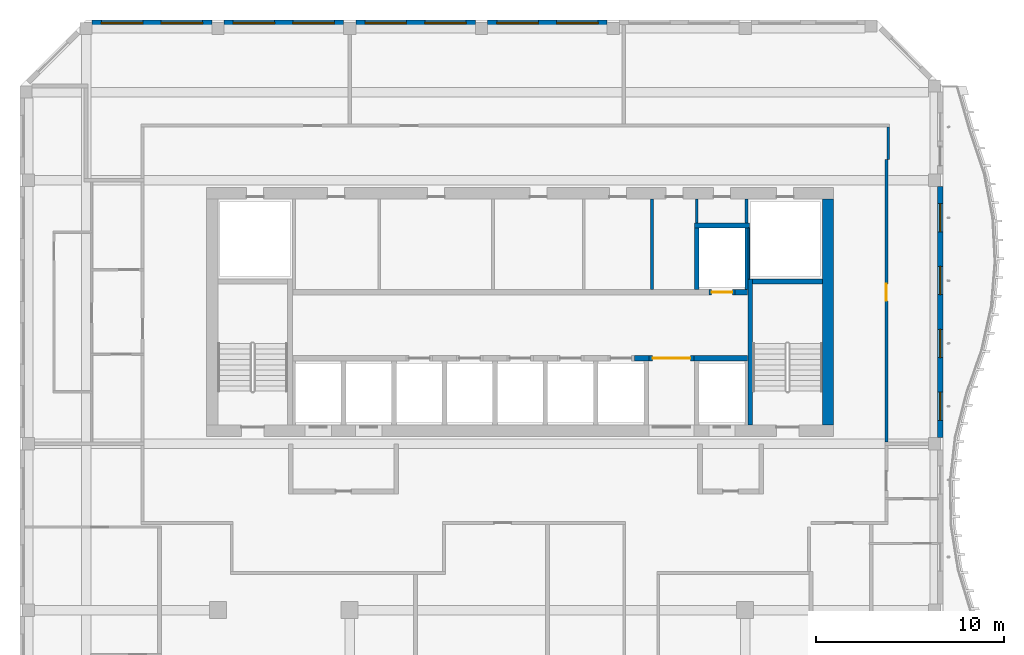
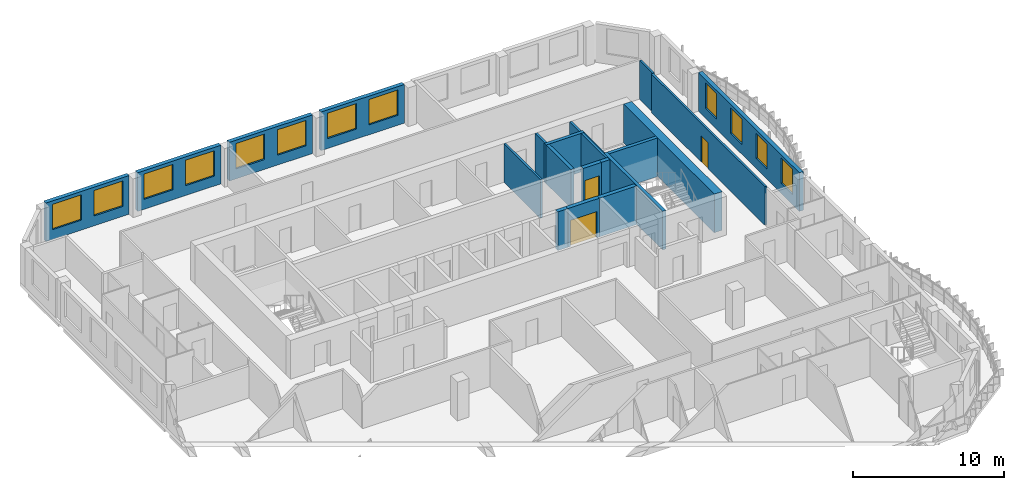
# One storey, part 8 of 17: 22 walls, 12 windows, 3 doors, 15 openings.
"""IFC4 building model written with IfcOpenShell, lengths in metres."""

from ifc_helpers import new_model, si_unit, direction, frame, frame_2d, origin, place, context, subcontext, project, spatial, rectangle, extrude, source, transform, mapped, material, layer, layer_set, type_object, element, fill, save


model = new_model("IFC4")

# Units and contexts
model_context = context("Model", 3, precision=1e-05, world=origin(), true_north=direction((0.0, 1.0)))
body_context = subcontext(model_context, "Body", "Model", "MODEL_VIEW")
ifc_project = project(units=[si_unit("LENGTHUNIT", "METRE"), si_unit("AREAUNIT", "SQUARE_METRE"), si_unit("VOLUMEUNIT", "CUBIC_METRE"), si_unit("PLANEANGLEUNIT", "RADIAN"), si_unit("MASSUNIT", "GRAM", prefix="KILO")], contexts=[model_context])

# Site, building, storey
site_placement = place(None, origin())
site = spatial("IfcSite", under=ifc_project, at=site_placement, CompositionType="ELEMENT")
building_placement = place(site_placement, origin())
building = spatial("IfcBuilding", under=site, at=building_placement, Name="Kilnfold Tower and Market Hall", CompositionType="ELEMENT")
storey_placement = place(building_placement, frame((0.0, 0.0, 273.800048828125)))
storey = spatial("IfcBuildingStorey", under=building, at=storey_placement, Name="L67", CompositionType="ELEMENT", Elevation=273.800048828125)

# Wall
ifc_material_1 = material(Name="Gypsum board on steel studs", Category="steel")
ifc_layer_1 = layer(ifc_material_1, 0.14990234375)
ifc_layer_set_1 = layer_set([ifc_layer_1], Name="Gypsum board on steel studs")
wall_type_1 = type_object("IfcWallType", Name="WALL CORRIDOR 150", PredefinedType="PARTITIONING", material=ifc_layer_set_1)
wall_1_placement = place(storey_placement, frame((20.60009765625, 23.10009765625, 0.0), z_axis=(0.0, 0.0, 1.0), x_axis=(0.0, 1.0, 0.0)))
element("IfcWall", 1, at=wall_1_placement, inside=storey, type_object=wall_type_1, Name="Partition LY41.20", PredefinedType="PARTITIONING", context=body_context, shape_type="SweptSolid", body=[
    extrude(rectangle(XDim=1.724853515625, YDim=0.14990234375, at=frame_2d((0.8623046875, 0.0))), origin(), (0.0, 0.0, 1.0), 3.119873046875),
])

# Wall, opening, door
wall_2_placement = place(storey_placement, frame((20.5, 8.090087890625, 0.0), z_axis=(0.0, 0.0, 1.0), x_axis=(0.0, 1.0, 0.0)))
wall_2 = element("IfcWall", 2, at=wall_2_placement, inside=storey, type_object=wall_type_1, Name="Partition LY41.21", PredefinedType="PARTITIONING", context=body_context, shape_type="SweptSolid", body=[
    extrude(rectangle(XDim=15.010009765625, YDim=0.14990234375, at=frame_2d((7.5048828125, 0.0))), origin(), (0.0, 0.0, 1.0), 3.119873046875),
])
opening_1_placement = place(wall_2_placement, frame((7.5048828125, 0.0, 0.0)))
opening_1 = element("IfcOpeningElement", 3, at=opening_1_placement, cuts=wall_2, Name="Opening D2", PredefinedType="OPENING", context=body_context, shape_type="SweptSolid", body=[
    extrude(rectangle(XDim=0.89990234375, YDim=2.10009765625, at=frame_2d((0.449951171875, 1.050048828125))), frame((0.0, 0.0849609375, 0.0), z_axis=(0.0, -1.0, 0.0), x_axis=(1.0, 0.0, 0.0)), (0.0, 0.0, 1.0), 0.169921875),
])
ifc_material_2 = material(Name="Timber veneer door leaf in steel frame", Category="steel")
door_type_1 = type_object("IfcDoorType", Name="DOOR ROOM 900 X2100", OperationType="NOTDEFINED", PredefinedType="DOOR", material=ifc_material_2)
door_1_placement = place(opening_1_placement, origin())
door_1 = element("IfcDoor", 4, at=door_1_placement, inside=storey, type_object=door_type_1, Name="Door D2", OperationType="SINGLE_SWING_RIGHT", OverallHeight=2.10009765625, OverallWidth=0.89990234375, PredefinedType="DOOR", context=body_context, shape_type="SweptSolid", body=[
    extrude(rectangle(XDim=0.89990234375, YDim=2.10009765625, at=frame_2d((0.449951171875, 1.050048828125))), frame((0.0, 0.02490234375, 0.0), z_axis=(0.0, -1.0, 0.0), x_axis=(1.0, 0.0, 0.0)), (0.0, 0.0, 1.0), 0.050048828125),
])
fill(opening_1, door_1)

# Walls
ifc_material_3 = material(Name="Concrete C50", Category="concrete")
ifc_layer_2 = layer(ifc_material_3, 0.25)
ifc_layer_set_2 = layer_set([ifc_layer_2], Name="Concrete C50")
wall_type_2 = type_object("IfcWallType", Name="CORE WALL 250 C50", PredefinedType="SHEAR", material=ifc_layer_set_2)
shared_shape_1 = source(origin(), body_context, "Body", "SweptSolid", [
    extrude(rectangle(XDim=7.75, YDim=0.25, at=frame_2d((3.875, 0.0))), origin(), (0.0, 0.0, 1.0), 3.119873046875),
])
wall_3_placement = place(storey_placement, frame((13.27490234375, 9.0, 0.0), z_axis=(0.0, 0.0, 1.0), x_axis=(0.0, 1.0, 0.0)))
element("IfcWall", 5, at=wall_3_placement, inside=storey, type_object=wall_type_2, Name="Stair enclosure ST2", PredefinedType="SHEAR", context=body_context, shape_type="MappedRepresentation", body=[
    mapped(shared_shape_1, transform((0.0, 0.0, 0.0))),
])
shared_shape_2 = source(origin(), body_context, "Body", "SweptSolid", [
    extrude(rectangle(XDim=3.7001953125, YDim=0.25, at=frame_2d((1.85009765625, 0.0))), origin(), (0.0, 0.0, 1.0), 3.119873046875),
])
wall_4_placement = place(storey_placement, frame((13.39990234375, 16.625, 0.0), z_axis=(0.0, 0.0, 1.0), x_axis=(1.0, 0.0, 0.0)))
element("IfcWall", 6, at=wall_4_placement, inside=storey, type_object=wall_type_2, Name="Stair enclosure ST2", PredefinedType="SHEAR", context=body_context, shape_type="MappedRepresentation", body=[
    mapped(shared_shape_2, transform((0.0, 0.0, 0.0))),
])
ifc_material_4 = material(Name="Concrete C50", Category="concrete")
ifc_layer_3 = layer(ifc_material_4, 0.300048828125)
ifc_layer_set_3 = layer_set([ifc_layer_3], Name="Concrete C50")
wall_type_3 = type_object("IfcWallType", Name="CORE WALL 300 C50", PredefinedType="SHEAR", material=ifc_layer_set_3)
shared_shape_3 = source(origin(), body_context, "Body", "SweptSolid", [
    extrude(rectangle(XDim=0.77978515625, YDim=0.300048828125, at=frame_2d((0.389892578125, 0.0))), origin(), (0.0, 0.0, 1.0), 3.119873046875),
])
wall_5_placement = place(storey_placement, frame((7.110107421875, 12.550048828125, 0.0), z_axis=(0.0, 0.0, 1.0), x_axis=(1.0, 0.0, 0.0)))
element("IfcWall", 7, at=wall_5_placement, inside=storey, type_object=wall_type_3, Name="Core spine wall", PredefinedType="SHEAR", context=body_context, shape_type="MappedRepresentation", body=[
    mapped(shared_shape_3, transform((0.0, 0.0, 0.0))),
])
shared_shape_4 = source(origin(), body_context, "Body", "SweptSolid", [
    extrude(rectangle(XDim=2.820068359375, YDim=0.300048828125, at=frame_2d((1.41015625, 0.0))), origin(), (0.0, 0.0, 1.0), 3.119873046875),
])
wall_6_placement = place(storey_placement, frame((10.2900390625, 12.550048828125, 0.0), z_axis=(0.0, 0.0, 1.0), x_axis=(1.0, 0.0, 0.0)))
element("IfcWall", 8, at=wall_6_placement, inside=storey, type_object=wall_type_3, Name="Core spine wall", PredefinedType="SHEAR", context=body_context, shape_type="MappedRepresentation", body=[
    mapped(shared_shape_4, transform((0.0, 0.0, 0.0))),
])
shared_shape_5 = source(origin(), body_context, "Body", "SweptSolid", [
    extrude(rectangle(XDim=0.64013671875, YDim=0.300048828125, at=frame_2d((0.320068359375, 0.0))), origin(), (0.0, 0.0, 1.0), 3.119873046875),
])
wall_7_placement = place(storey_placement, frame((12.469970703125, 16.050048828125, 0.0), z_axis=(0.0, 0.0, 1.0), x_axis=(1.0, 0.0, 0.0)))
element("IfcWall", 9, at=wall_7_placement, inside=storey, type_object=wall_type_3, Name="Core spine wall", PredefinedType="SHEAR", context=body_context, shape_type="MappedRepresentation", body=[
    mapped(shared_shape_5, transform((0.0, 0.0, 0.0))),
])
ifc_material_5 = material(Name="Concrete C50", Category="concrete")
ifc_layer_4 = layer(ifc_material_5, 0.60009765625)
ifc_layer_set_4 = layer_set([ifc_layer_4], Name="Concrete C50")
wall_type_4 = type_object("IfcWallType", Name="CORE WALL 600 C50", PredefinedType="SHEAR", material=ifc_layer_set_4)
shared_shape_6 = source(origin(), body_context, "Body", "SweptSolid", [
    extrude(rectangle(XDim=12.0, YDim=0.60009765625, at=frame_2d((6.0, 0.0))), origin(), (0.0, 0.0, 1.0), 3.119873046875),
])
wall_8_placement = place(storey_placement, frame((17.39990234375, 9.0, 0.0), z_axis=(0.0, 0.0, 1.0), x_axis=(0.0, 1.0, 0.0)))
element("IfcWall", 10, at=wall_8_placement, inside=storey, type_object=wall_type_4, Name="Core outer wall east", PredefinedType="SHEAR", context=body_context, shape_type="MappedRepresentation", body=[
    mapped(shared_shape_6, transform((0.0, 0.0, 0.0))),
])

# Wall, openings, windows
ifc_material_6 = material(Name="Precast concrete C50/60", Category="concrete")
ifc_layer_5 = layer(ifc_material_6, 0.300048828125)
ifc_layer_set_5 = layer_set([ifc_layer_5], Name="Precast concrete C50/60")
wall_type_5 = type_object("IfcWallType", Name="PRECAST WALL 300", PredefinedType="SOLIDWALL", material=ifc_layer_set_5)
shared_shape_7 = source(origin(), body_context, "Body", "SweptSolid", [
    extrude(rectangle(XDim=6.35009765625, YDim=0.300048828125, at=frame_2d((3.175048828125, 0.0))), origin(), (0.0, 0.0, 1.0), 3.119873046875),
])
wall_9_placement = place(storey_placement, frame((5.675048828125, 30.35009765625, 0.0), z_axis=(0.0, 0.0, 1.0), x_axis=(-1.0, 0.0, 0.0)))
wall_9 = element("IfcWall", 11, at=wall_9_placement, inside=storey, type_object=wall_type_5, Name="External wall L67 N", PredefinedType="SOLIDWALL", context=body_context, shape_type="MappedRepresentation", body=[
    mapped(shared_shape_7, transform((0.0, 0.0, 0.0))),
])
opening_2_placement = place(wall_9_placement, frame((0.487548828125, 0.0, 0.800048828125)))
opening_2 = element("IfcOpeningElement", 12, at=opening_2_placement, cuts=wall_9, Name="Opening W3", PredefinedType="OPENING", context=body_context, shape_type="SweptSolid", body=[
    extrude(rectangle(XDim=2.199951171875, YDim=2.050048828125, at=frame_2d((1.10009765625, 1.02490234375))), frame((0.0, 0.16015625, 0.0), z_axis=(0.0, -1.0, 0.0), x_axis=(1.0, 0.0, 0.0)), (0.0, 0.0, 1.0), 0.320068359375),
])
opening_3_placement = place(wall_9_placement, frame((3.66259765625, 0.0, 0.800048828125)))
opening_3 = element("IfcOpeningElement", 13, at=opening_3_placement, cuts=wall_9, Name="Opening W3", PredefinedType="OPENING", context=body_context, shape_type="SweptSolid", body=[
    extrude(rectangle(XDim=2.199951171875, YDim=2.050048828125, at=frame_2d((1.10009765625, 1.02490234375))), frame((0.0, 0.16015625, 0.0), z_axis=(0.0, -1.0, 0.0), x_axis=(1.0, 0.0, 0.0)), (0.0, 0.0, 1.0), 0.320068359375),
])
ifc_material_7 = material(Name="Aluminium frame and double glazing", Category="aluminium")
window_type_1 = type_object("IfcWindowType", Name="WINDOW W3 2200X2050", PartitioningType="SINGLE_PANEL", PredefinedType="WINDOW", material=ifc_material_7)
window_1_placement = place(opening_2_placement, origin())
window_1 = element("IfcWindow", 14, at=window_1_placement, inside=storey, type_object=window_type_1, Name="Window W3 L67 N-1", OverallHeight=2.050048828125, OverallWidth=2.199951171875, PartitioningType="SINGLE_PANEL", PredefinedType="WINDOW", context=body_context, shape_type="SweptSolid", body=[
    extrude(rectangle(XDim=2.199951171875, YDim=2.050048828125, at=frame_2d((1.10009765625, 1.02490234375))), frame((0.0, 0.030029296875, 0.0), z_axis=(0.0, -1.0, 0.0), x_axis=(1.0, 0.0, 0.0)), (0.0, 0.0, 1.0), 0.06005859375),
])
fill(opening_2, window_1)
window_2_placement = place(opening_3_placement, origin())
window_2 = element("IfcWindow", 15, at=window_2_placement, inside=storey, type_object=window_type_1, Name="Window W3 L67 N-2", OverallHeight=2.050048828125, OverallWidth=2.199951171875, PartitioningType="SINGLE_PANEL", PredefinedType="WINDOW", context=body_context, shape_type="SweptSolid", body=[
    extrude(rectangle(XDim=2.199951171875, YDim=2.050048828125, at=frame_2d((1.10009765625, 1.02490234375))), frame((0.0, 0.030029296875, 0.0), z_axis=(0.0, -1.0, 0.0), x_axis=(1.0, 0.0, 0.0)), (0.0, 0.0, 1.0), 0.06005859375),
])
fill(opening_3, window_2)

wall_10_placement = place(storey_placement, frame((-1.324951171875, 30.35009765625, 0.0), z_axis=(0.0, 0.0, 1.0), x_axis=(-1.0, 0.0, 0.0)))
wall_10 = element("IfcWall", 16, at=wall_10_placement, inside=storey, type_object=wall_type_5, Name="External wall L67 N", PredefinedType="SOLIDWALL", context=body_context, shape_type="MappedRepresentation", body=[
    mapped(shared_shape_7, transform((0.0, 0.0, 0.0))),
])
opening_4_placement = place(wall_10_placement, frame((0.487548828125, 0.0, 0.800048828125)))
opening_4 = element("IfcOpeningElement", 17, at=opening_4_placement, cuts=wall_10, Name="Opening W3", PredefinedType="OPENING", context=body_context, shape_type="SweptSolid", body=[
    extrude(rectangle(XDim=2.199951171875, YDim=2.050048828125, at=frame_2d((1.10009765625, 1.02490234375))), frame((0.0, 0.16015625, 0.0), z_axis=(0.0, -1.0, 0.0), x_axis=(1.0, 0.0, 0.0)), (0.0, 0.0, 1.0), 0.320068359375),
])
opening_5_placement = place(wall_10_placement, frame((3.66259765625, 0.0, 0.800048828125)))
opening_5 = element("IfcOpeningElement", 18, at=opening_5_placement, cuts=wall_10, Name="Opening W3", PredefinedType="OPENING", context=body_context, shape_type="SweptSolid", body=[
    extrude(rectangle(XDim=2.199951171875, YDim=2.050048828125, at=frame_2d((1.10009765625, 1.02490234375))), frame((0.0, 0.16015625, 0.0), z_axis=(0.0, -1.0, 0.0), x_axis=(1.0, 0.0, 0.0)), (0.0, 0.0, 1.0), 0.320068359375),
])
window_3_placement = place(opening_4_placement, origin())
window_3 = element("IfcWindow", 19, at=window_3_placement, inside=storey, type_object=window_type_1, Name="Window W3 L67 N-1", OverallHeight=2.050048828125, OverallWidth=2.199951171875, PartitioningType="SINGLE_PANEL", PredefinedType="WINDOW", context=body_context, shape_type="SweptSolid", body=[
    extrude(rectangle(XDim=2.199951171875, YDim=2.050048828125, at=frame_2d((1.10009765625, 1.02490234375))), frame((0.0, 0.030029296875, 0.0), z_axis=(0.0, -1.0, 0.0), x_axis=(1.0, 0.0, 0.0)), (0.0, 0.0, 1.0), 0.06005859375),
])
fill(opening_4, window_3)
window_4_placement = place(opening_5_placement, origin())
window_4 = element("IfcWindow", 20, at=window_4_placement, inside=storey, type_object=window_type_1, Name="Window W3 L67 N-2", OverallHeight=2.050048828125, OverallWidth=2.199951171875, PartitioningType="SINGLE_PANEL", PredefinedType="WINDOW", context=body_context, shape_type="SweptSolid", body=[
    extrude(rectangle(XDim=2.199951171875, YDim=2.050048828125, at=frame_2d((1.10009765625, 1.02490234375))), frame((0.0, 0.030029296875, 0.0), z_axis=(0.0, -1.0, 0.0), x_axis=(1.0, 0.0, 0.0)), (0.0, 0.0, 1.0), 0.06005859375),
])
fill(opening_5, window_4)

wall_11_placement = place(storey_placement, frame((-8.324951171875, 30.35009765625, 0.0), z_axis=(0.0, 0.0, 1.0), x_axis=(-1.0, 0.0, 0.0)))
wall_11 = element("IfcWall", 21, at=wall_11_placement, inside=storey, type_object=wall_type_5, Name="External wall L67 N", PredefinedType="SOLIDWALL", context=body_context, shape_type="MappedRepresentation", body=[
    mapped(shared_shape_7, transform((0.0, 0.0, 0.0))),
])
opening_6_placement = place(wall_11_placement, frame((0.487548828125, 0.0, 0.800048828125)))
opening_6 = element("IfcOpeningElement", 22, at=opening_6_placement, cuts=wall_11, Name="Opening W3", PredefinedType="OPENING", context=body_context, shape_type="SweptSolid", body=[
    extrude(rectangle(XDim=2.199951171875, YDim=2.050048828125, at=frame_2d((1.10009765625, 1.02490234375))), frame((0.0, 0.16015625, 0.0), z_axis=(0.0, -1.0, 0.0), x_axis=(1.0, 0.0, 0.0)), (0.0, 0.0, 1.0), 0.320068359375),
])
opening_7_placement = place(wall_11_placement, frame((3.66259765625, 0.0, 0.800048828125)))
opening_7 = element("IfcOpeningElement", 23, at=opening_7_placement, cuts=wall_11, Name="Opening W3", PredefinedType="OPENING", context=body_context, shape_type="SweptSolid", body=[
    extrude(rectangle(XDim=2.199951171875, YDim=2.050048828125, at=frame_2d((1.10009765625, 1.02490234375))), frame((0.0, 0.16015625, 0.0), z_axis=(0.0, -1.0, 0.0), x_axis=(1.0, 0.0, 0.0)), (0.0, 0.0, 1.0), 0.320068359375),
])
window_5_placement = place(opening_6_placement, origin())
window_5 = element("IfcWindow", 24, at=window_5_placement, inside=storey, type_object=window_type_1, Name="Window W3 L67 N-1", OverallHeight=2.050048828125, OverallWidth=2.199951171875, PartitioningType="SINGLE_PANEL", PredefinedType="WINDOW", context=body_context, shape_type="SweptSolid", body=[
    extrude(rectangle(XDim=2.199951171875, YDim=2.050048828125, at=frame_2d((1.10009765625, 1.02490234375))), frame((0.0, 0.030029296875, 0.0), z_axis=(0.0, -1.0, 0.0), x_axis=(1.0, 0.0, 0.0)), (0.0, 0.0, 1.0), 0.06005859375),
])
fill(opening_6, window_5)
window_6_placement = place(opening_7_placement, origin())
window_6 = element("IfcWindow", 25, at=window_6_placement, inside=storey, type_object=window_type_1, Name="Window W3 L67 N-2", OverallHeight=2.050048828125, OverallWidth=2.199951171875, PartitioningType="SINGLE_PANEL", PredefinedType="WINDOW", context=body_context, shape_type="SweptSolid", body=[
    extrude(rectangle(XDim=2.199951171875, YDim=2.050048828125, at=frame_2d((1.10009765625, 1.02490234375))), frame((0.0, 0.030029296875, 0.0), z_axis=(0.0, -1.0, 0.0), x_axis=(1.0, 0.0, 0.0)), (0.0, 0.0, 1.0), 0.06005859375),
])
fill(opening_7, window_6)

wall_12_placement = place(storey_placement, frame((-15.324951171875, 30.35009765625, 0.0), z_axis=(0.0, 0.0, 1.0), x_axis=(-1.0, 0.0, 0.0)))
wall_12 = element("IfcWall", 26, at=wall_12_placement, inside=storey, type_object=wall_type_5, Name="External wall L67 N", PredefinedType="SOLIDWALL", context=body_context, shape_type="MappedRepresentation", body=[
    mapped(shared_shape_7, transform((0.0, 0.0, 0.0))),
])
opening_8_placement = place(wall_12_placement, frame((0.487548828125, 0.0, 0.800048828125)))
opening_8 = element("IfcOpeningElement", 27, at=opening_8_placement, cuts=wall_12, Name="Opening W3", PredefinedType="OPENING", context=body_context, shape_type="SweptSolid", body=[
    extrude(rectangle(XDim=2.199951171875, YDim=2.050048828125, at=frame_2d((1.10009765625, 1.02490234375))), frame((0.0, 0.16015625, 0.0), z_axis=(0.0, -1.0, 0.0), x_axis=(1.0, 0.0, 0.0)), (0.0, 0.0, 1.0), 0.320068359375),
])
opening_9_placement = place(wall_12_placement, frame((3.66259765625, 0.0, 0.800048828125)))
opening_9 = element("IfcOpeningElement", 28, at=opening_9_placement, cuts=wall_12, Name="Opening W3", PredefinedType="OPENING", context=body_context, shape_type="SweptSolid", body=[
    extrude(rectangle(XDim=2.199951171875, YDim=2.050048828125, at=frame_2d((1.10009765625, 1.02490234375))), frame((0.0, 0.16015625, 0.0), z_axis=(0.0, -1.0, 0.0), x_axis=(1.0, 0.0, 0.0)), (0.0, 0.0, 1.0), 0.320068359375),
])
window_7_placement = place(opening_8_placement, origin())
window_7 = element("IfcWindow", 29, at=window_7_placement, inside=storey, type_object=window_type_1, Name="Window W3 L67 N-1", OverallHeight=2.050048828125, OverallWidth=2.199951171875, PartitioningType="SINGLE_PANEL", PredefinedType="WINDOW", context=body_context, shape_type="SweptSolid", body=[
    extrude(rectangle(XDim=2.199951171875, YDim=2.050048828125, at=frame_2d((1.10009765625, 1.02490234375))), frame((0.0, 0.030029296875, 0.0), z_axis=(0.0, -1.0, 0.0), x_axis=(1.0, 0.0, 0.0)), (0.0, 0.0, 1.0), 0.06005859375),
])
fill(opening_8, window_7)
window_8_placement = place(opening_9_placement, origin())
window_8 = element("IfcWindow", 30, at=window_8_placement, inside=storey, type_object=window_type_1, Name="Window W3 L67 N-2", OverallHeight=2.050048828125, OverallWidth=2.199951171875, PartitioningType="SINGLE_PANEL", PredefinedType="WINDOW", context=body_context, shape_type="SweptSolid", body=[
    extrude(rectangle(XDim=2.199951171875, YDim=2.050048828125, at=frame_2d((1.10009765625, 1.02490234375))), frame((0.0, 0.030029296875, 0.0), z_axis=(0.0, -1.0, 0.0), x_axis=(1.0, 0.0, 0.0)), (0.0, 0.0, 1.0), 0.06005859375),
])
fill(opening_9, window_8)

shared_shape_8 = source(origin(), body_context, "Body", "SweptSolid", [
    extrude(rectangle(XDim=13.35009765625, YDim=0.300048828125, at=frame_2d((6.675048828125, 0.0))), origin(), (0.0, 0.0, 1.0), 3.119873046875),
])
wall_13_placement = place(storey_placement, frame((23.35009765625, 8.324951171875, 0.0), z_axis=(0.0, 0.0, 1.0), x_axis=(0.0, 1.0, 0.0)))
wall_13 = element("IfcWall", 31, at=wall_13_placement, inside=storey, type_object=wall_type_5, Name="External wall L67 E", PredefinedType="SOLIDWALL", context=body_context, shape_type="MappedRepresentation", body=[
    mapped(shared_shape_8, transform((0.0, 0.0, 0.0))),
])
opening_10_placement = place(wall_13_placement, frame((0.918701171875, 0.0, 0.800048828125)))
opening_10 = element("IfcOpeningElement", 32, at=opening_10_placement, cuts=wall_13, Name="Opening W5", PredefinedType="OPENING", context=body_context, shape_type="SweptSolid", body=[
    extrude(rectangle(XDim=1.5, YDim=2.050048828125, at=frame_2d((0.75, 1.02490234375))), frame((0.0, 0.16015625, 0.0), z_axis=(0.0, -1.0, 0.0), x_axis=(1.0, 0.0, 0.0)), (0.0, 0.0, 1.0), 0.320068359375),
])
opening_11_placement = place(wall_13_placement, frame((4.25634765625, 0.0, 0.800048828125)))
opening_11 = element("IfcOpeningElement", 33, at=opening_11_placement, cuts=wall_13, Name="Opening W5", PredefinedType="OPENING", context=body_context, shape_type="SweptSolid", body=[
    extrude(rectangle(XDim=1.5, YDim=2.050048828125, at=frame_2d((0.75, 1.02490234375))), frame((0.0, 0.16015625, 0.0), z_axis=(0.0, -1.0, 0.0), x_axis=(1.0, 0.0, 0.0)), (0.0, 0.0, 1.0), 0.320068359375),
])
opening_12_placement = place(wall_13_placement, frame((7.59375, 0.0, 0.800048828125)))
opening_12 = element("IfcOpeningElement", 34, at=opening_12_placement, cuts=wall_13, Name="Opening W5", PredefinedType="OPENING", context=body_context, shape_type="SweptSolid", body=[
    extrude(rectangle(XDim=1.5, YDim=2.050048828125, at=frame_2d((0.75, 1.02490234375))), frame((0.0, 0.16015625, 0.0), z_axis=(0.0, -1.0, 0.0), x_axis=(1.0, 0.0, 0.0)), (0.0, 0.0, 1.0), 0.320068359375),
])
opening_13_placement = place(wall_13_placement, frame((10.93115234375, 0.0, 0.800048828125)))
opening_13 = element("IfcOpeningElement", 35, at=opening_13_placement, cuts=wall_13, Name="Opening W5", PredefinedType="OPENING", context=body_context, shape_type="SweptSolid", body=[
    extrude(rectangle(XDim=1.5, YDim=2.050048828125, at=frame_2d((0.75, 1.02490234375))), frame((0.0, 0.16015625, 0.0), z_axis=(0.0, -1.0, 0.0), x_axis=(1.0, 0.0, 0.0)), (0.0, 0.0, 1.0), 0.320068359375),
])
ifc_material_8 = material(Name="Aluminium frame and double glazing", Category="aluminium")
window_type_2 = type_object("IfcWindowType", Name="WINDOW W5 1500X2050", PartitioningType="SINGLE_PANEL", PredefinedType="WINDOW", material=ifc_material_8)
window_9_placement = place(opening_10_placement, origin())
window_9 = element("IfcWindow", 36, at=window_9_placement, inside=storey, type_object=window_type_2, Name="Window W5 L67 E-1", OverallHeight=2.050048828125, OverallWidth=1.5, PartitioningType="SINGLE_PANEL", PredefinedType="WINDOW", context=body_context, shape_type="SweptSolid", body=[
    extrude(rectangle(XDim=1.5, YDim=2.050048828125, at=frame_2d((0.75, 1.02490234375))), frame((0.0, 0.030029296875, 0.0), z_axis=(0.0, -1.0, 0.0), x_axis=(1.0, 0.0, 0.0)), (0.0, 0.0, 1.0), 0.06005859375),
])
fill(opening_10, window_9)
window_10_placement = place(opening_11_placement, origin())
window_10 = element("IfcWindow", 37, at=window_10_placement, inside=storey, type_object=window_type_2, Name="Window W5 L67 E-2", OverallHeight=2.050048828125, OverallWidth=1.5, PartitioningType="SINGLE_PANEL", PredefinedType="WINDOW", context=body_context, shape_type="SweptSolid", body=[
    extrude(rectangle(XDim=1.5, YDim=2.050048828125, at=frame_2d((0.75, 1.02490234375))), frame((0.0, 0.030029296875, 0.0), z_axis=(0.0, -1.0, 0.0), x_axis=(1.0, 0.0, 0.0)), (0.0, 0.0, 1.0), 0.06005859375),
])
fill(opening_11, window_10)
window_11_placement = place(opening_12_placement, origin())
window_11 = element("IfcWindow", 38, at=window_11_placement, inside=storey, type_object=window_type_2, Name="Window W5 L67 E-3", OverallHeight=2.050048828125, OverallWidth=1.5, PartitioningType="SINGLE_PANEL", PredefinedType="WINDOW", context=body_context, shape_type="SweptSolid", body=[
    extrude(rectangle(XDim=1.5, YDim=2.050048828125, at=frame_2d((0.75, 1.02490234375))), frame((0.0, 0.030029296875, 0.0), z_axis=(0.0, -1.0, 0.0), x_axis=(1.0, 0.0, 0.0)), (0.0, 0.0, 1.0), 0.06005859375),
])
fill(opening_12, window_11)
window_12_placement = place(opening_13_placement, origin())
window_12 = element("IfcWindow", 39, at=window_12_placement, inside=storey, type_object=window_type_2, Name="Window W5 L67 E-4", OverallHeight=2.050048828125, OverallWidth=1.5, PartitioningType="SINGLE_PANEL", PredefinedType="WINDOW", context=body_context, shape_type="SweptSolid", body=[
    extrude(rectangle(XDim=1.5, YDim=2.050048828125, at=frame_2d((0.75, 1.02490234375))), frame((0.0, 0.030029296875, 0.0), z_axis=(0.0, -1.0, 0.0), x_axis=(1.0, 0.0, 0.0)), (0.0, 0.0, 1.0), 0.06005859375),
])
fill(opening_13, window_12)

# Wall, opening, door
ifc_material_9 = material(Name="Gypsum shaft wall system")
ifc_layer_6 = layer(ifc_material_9, 0.300048828125)
ifc_layer_set_6 = layer_set([ifc_layer_6], Name="Gypsum shaft wall system")
wall_type_6 = type_object("IfcWallType", Name="SHAFT WALL 300", PredefinedType="PARTITIONING", material=ifc_layer_set_6)
shared_shape_9 = source(origin(), body_context, "Body", "SweptSolid", [
    extrude(rectangle(XDim=1.39990234375, YDim=0.300048828125, at=frame_2d((0.699951171875, 0.0))), origin(), (0.0, 0.0, 1.0), 3.119873046875),
])
wall_14_placement = place(storey_placement, frame((11.070068359375, 16.050048828125, 0.0), z_axis=(0.0, 0.0, 1.0), x_axis=(1.0, 0.0, 0.0)))
wall_14 = element("IfcWall", 40, at=wall_14_placement, inside=storey, type_object=wall_type_6, Name="Lift shaft front wall", PredefinedType="PARTITIONING", context=body_context, shape_type="MappedRepresentation", body=[
    mapped(shared_shape_9, transform((0.0, 0.0, 0.0))),
])
opening_14_placement = place(wall_14_placement, frame((0.14990234375, 0.0, 0.0)))
opening_14 = element("IfcOpeningElement", 41, at=opening_14_placement, cuts=wall_14, Name="Opening LD2", PredefinedType="OPENING", context=body_context, shape_type="SweptSolid", body=[
    extrude(rectangle(XDim=1.10009765625, YDim=2.10009765625, at=frame_2d((0.550048828125, 1.050048828125))), frame((0.0, 0.16015625, 0.0), z_axis=(0.0, -1.0, 0.0), x_axis=(1.0, 0.0, 0.0)), (0.0, 0.0, 1.0), 0.320068359375),
])
ifc_material_10 = material(Name="Steel door set with fire-resisting leaf", Category="steel")
door_type_2 = type_object("IfcDoorType", Name="LANDING DOOR 1100X2100", OperationType="NOTDEFINED", PredefinedType="DOOR", material=ifc_material_10)
door_2_placement = place(opening_14_placement, origin())
door_2 = element("IfcDoor", 42, at=door_2_placement, inside=storey, type_object=door_type_2, Name="Landing door HR6", OperationType="DOUBLE_DOOR_SLIDING", OverallHeight=2.10009765625, OverallWidth=1.10009765625, PredefinedType="DOOR", context=body_context, shape_type="SweptSolid", body=[
    extrude(rectangle(XDim=1.10009765625, YDim=2.10009765625, at=frame_2d((0.550048828125, 1.050048828125))), frame((0.0, 0.02490234375, 0.0), z_axis=(0.0, -1.0, 0.0), x_axis=(1.0, 0.0, 0.0)), (0.0, 0.0, 1.0), 0.050048828125),
])
fill(opening_14, door_2)

shared_shape_10 = source(origin(), body_context, "Body", "SweptSolid", [
    extrude(rectangle(XDim=2.400146484375, YDim=0.300048828125, at=frame_2d((1.2001953125, 0.0))), origin(), (0.0, 0.0, 1.0), 3.119873046875),
])
wall_15_placement = place(storey_placement, frame((7.889892578125, 12.550048828125, 0.0), z_axis=(0.0, 0.0, 1.0), x_axis=(1.0, 0.0, 0.0)))
wall_15 = element("IfcWall", 43, at=wall_15_placement, inside=storey, type_object=wall_type_6, Name="Lift shaft front wall", PredefinedType="PARTITIONING", context=body_context, shape_type="MappedRepresentation", body=[
    mapped(shared_shape_10, transform((0.0, 0.0, 0.0))),
])
opening_15_placement = place(wall_15_placement, frame((0.199951171875, 0.0, 0.0)))
opening_15 = element("IfcOpeningElement", 44, at=opening_15_placement, cuts=wall_15, Name="Opening VD2", PredefinedType="OPENING", context=body_context, shape_type="SweptSolid", body=[
    extrude(rectangle(XDim=2.0, YDim=2.10009765625, at=frame_2d((1.0, 1.050048828125))), frame((0.0, 0.16015625, 0.0), z_axis=(0.0, -1.0, 0.0), x_axis=(1.0, 0.0, 0.0)), (0.0, 0.0, 1.0), 0.320068359375),
])
ifc_material_11 = material(Name="Steel door set with fire-resisting leaf", Category="steel")
door_type_3 = type_object("IfcDoorType", Name="LIFT LOBBY ENTRANCE DOOR 2000X2100", OperationType="NOTDEFINED", PredefinedType="DOOR", material=ifc_material_11)
door_3_placement = place(opening_15_placement, origin())
door_3 = element("IfcDoor", 45, at=door_3_placement, inside=storey, type_object=door_type_3, Name="Lift lobby entrance door", OperationType="DOUBLE_DOOR_SINGLE_SWING", OverallHeight=2.10009765625, OverallWidth=2.0, PredefinedType="DOOR", context=body_context, shape_type="SweptSolid", body=[
    extrude(rectangle(XDim=2.0, YDim=2.10009765625, at=frame_2d((1.0, 1.050048828125))), frame((0.0, 0.02490234375, 0.0), z_axis=(0.0, -1.0, 0.0), x_axis=(1.0, 0.0, 0.0)), (0.0, 0.0, 1.0), 0.050048828125),
])
fill(opening_15, door_3)

# Walls
ifc_material_12 = material(Name="Gypsum shaft wall system")
ifc_layer_7 = layer(ifc_material_12, 0.1650390625)
ifc_layer_set_7 = layer_set([ifc_layer_7], Name="Gypsum shaft wall system")
wall_type_7 = type_object("IfcWallType", Name="SHAFT WALL 165", PredefinedType="PARTITIONING", material=ifc_layer_set_7)
shared_shape_11 = source(origin(), body_context, "Body", "SweptSolid", [
    extrude(rectangle(XDim=3.275146484375, YDim=0.1650390625, at=frame_2d((1.6376953125, 0.0))), origin(), (0.0, 0.0, 1.0), 3.119873046875),
])
wall_16_placement = place(storey_placement, frame((13.0673828125, 16.199951171875, 0.0), z_axis=(0.0, 0.0, 1.0), x_axis=(0.0, 1.0, 0.0)))
element("IfcWall", 46, at=wall_16_placement, inside=storey, type_object=wall_type_7, Name="Lift shaft wall", PredefinedType="PARTITIONING", context=body_context, shape_type="MappedRepresentation", body=[
    mapped(shared_shape_11, transform((0.0, 0.0, 0.0))),
])
shared_shape_12 = source(origin(), body_context, "Body", "SweptSolid", [
    extrude(rectangle(XDim=1.27490234375, YDim=0.1650390625, at=frame_2d((0.637451171875, 0.0))), origin(), (0.0, 0.0, 1.0), 3.119873046875),
])
wall_17_placement = place(storey_placement, frame((13.0673828125, 19.72509765625, 0.0), z_axis=(0.0, 0.0, 1.0), x_axis=(0.0, 1.0, 0.0)))
element("IfcWall", 47, at=wall_17_placement, inside=storey, type_object=wall_type_7, Name="Lift shaft wall", PredefinedType="PARTITIONING", context=body_context, shape_type="MappedRepresentation", body=[
    mapped(shared_shape_12, transform((0.0, 0.0, 0.0))),
])
ifc_material_13 = material(Name="Gypsum shaft wall system")
ifc_layer_8 = layer(ifc_material_13, 0.25)
ifc_layer_set_8 = layer_set([ifc_layer_8], Name="Gypsum shaft wall system")
wall_type_8 = type_object("IfcWallType", Name="SHAFT WALL 250", PredefinedType="PARTITIONING", material=ifc_layer_set_8)
shared_shape_13 = source(origin(), body_context, "Body", "SweptSolid", [
    extrude(rectangle(XDim=3.275146484375, YDim=0.25, at=frame_2d((1.6376953125, 0.0))), origin(), (0.0, 0.0, 1.0), 3.119873046875),
])
wall_18_placement = place(storey_placement, frame((10.429931640625, 16.199951171875, 0.0), z_axis=(0.0, 0.0, 1.0), x_axis=(0.0, 1.0, 0.0)))
element("IfcWall", 48, at=wall_18_placement, inside=storey, type_object=wall_type_8, Name="Lift shaft wall", PredefinedType="PARTITIONING", context=body_context, shape_type="MappedRepresentation", body=[
    mapped(shared_shape_13, transform((0.0, 0.0, 0.0))),
])
ifc_material_14 = material(Name="Gypsum shaft wall system")
ifc_layer_9 = layer(ifc_material_14, 0.0849609375)
ifc_layer_set_9 = layer_set([ifc_layer_9], Name="Gypsum shaft wall system")
wall_type_9 = type_object("IfcWallType", Name="SHAFT WALL 85", PredefinedType="PARTITIONING", material=ifc_layer_set_9)
shared_shape_14 = source(origin(), body_context, "Body", "SweptSolid", [
    extrude(rectangle(XDim=2.72509765625, YDim=0.0849609375, at=frame_2d((1.362548828125, 0.0))), origin(), (0.0, 0.0, 1.0), 3.119873046875),
])
wall_19_placement = place(storey_placement, frame((13.1923828125, 16.75, 0.0), z_axis=(0.0, 0.0, 1.0), x_axis=(0.0, 1.0, 0.0)))
element("IfcWall", 49, at=wall_19_placement, inside=storey, type_object=wall_type_9, Name="Lift shaft wall", PredefinedType="PARTITIONING", context=body_context, shape_type="MappedRepresentation", body=[
    mapped(shared_shape_14, transform((0.0, 0.0, 0.0))),
])
ifc_material_15 = material(Name="Gypsum shaft wall system")
ifc_layer_10 = layer(ifc_material_15, 0.14990234375)
ifc_layer_set_10 = layer_set([ifc_layer_10], Name="Gypsum shaft wall system")
wall_type_10 = type_object("IfcWallType", Name="ROOM WALL 150", PredefinedType="PARTITIONING", material=ifc_layer_set_10)
shared_shape_15 = source(origin(), body_context, "Body", "SweptSolid", [
    extrude(rectangle(XDim=4.800048828125, YDim=0.14990234375, at=frame_2d((2.39990234375, 0.0))), origin(), (0.0, 0.0, 1.0), 3.119873046875),
])
wall_20_placement = place(storey_placement, frame((8.044921875, 16.199951171875, 0.0), z_axis=(0.0, 0.0, 1.0), x_axis=(0.0, 1.0, 0.0)))
element("IfcWall", 50, at=wall_20_placement, inside=storey, type_object=wall_type_10, Name="Core room wall", PredefinedType="PARTITIONING", context=body_context, shape_type="MappedRepresentation", body=[
    mapped(shared_shape_15, transform((0.0, 0.0, 0.0))),
])
shared_shape_16 = source(origin(), body_context, "Body", "SweptSolid", [
    extrude(rectangle(XDim=1.27490234375, YDim=0.14990234375, at=frame_2d((0.637451171875, 0.0))), origin(), (0.0, 0.0, 1.0), 3.119873046875),
])
wall_21_placement = place(storey_placement, frame((10.429931640625, 19.72509765625, 0.0), z_axis=(0.0, 0.0, 1.0), x_axis=(0.0, 1.0, 0.0)))
element("IfcWall", 51, at=wall_21_placement, inside=storey, type_object=wall_type_10, Name="Core room wall", PredefinedType="PARTITIONING", context=body_context, shape_type="MappedRepresentation", body=[
    mapped(shared_shape_16, transform((0.0, 0.0, 0.0))),
])
shared_shape_17 = source(origin(), body_context, "Body", "SweptSolid", [
    extrude(rectangle(XDim=2.93017578125, YDim=0.25, at=frame_2d((1.465087890625, 0.0))), origin(), (0.0, 0.0, 1.0), 3.119873046875),
])
wall_22_placement = place(storey_placement, frame((10.304931640625, 19.60009765625, 0.0), z_axis=(0.0, 0.0, 1.0), x_axis=(1.0, 0.0, 0.0)))
element("IfcWall", 52, at=wall_22_placement, inside=storey, type_object=wall_type_8, Name="Lift shaft wall", PredefinedType="PARTITIONING", context=body_context, shape_type="MappedRepresentation", body=[
    mapped(shared_shape_17, transform((0.0, 0.0, 0.0))),
])

save(model, "model.ifc")
